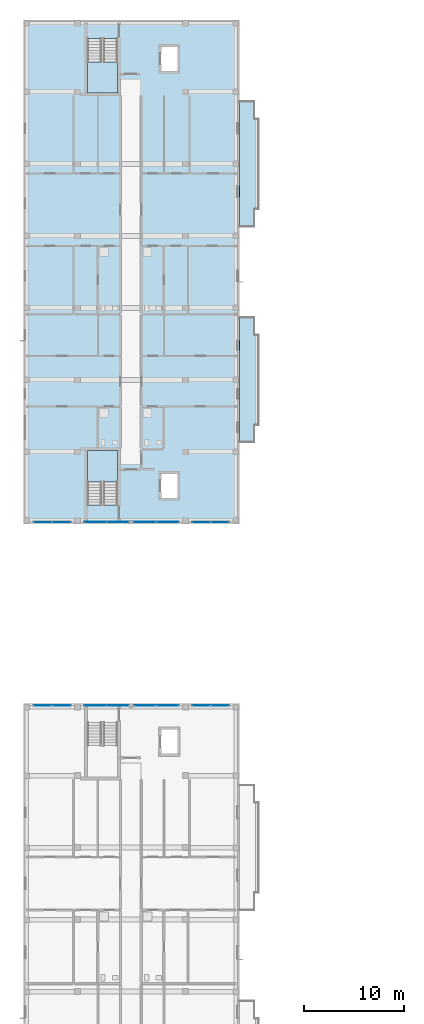
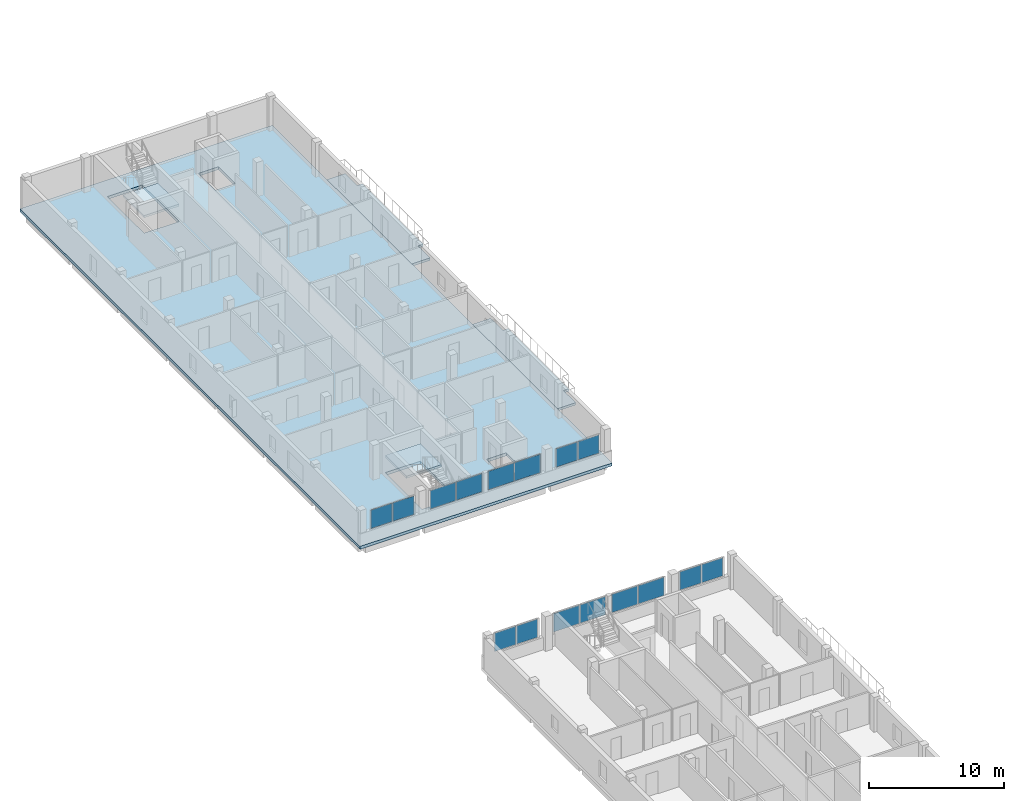
# One storey, part 10 of 41: 16 plates, 5 slabs, 10 elements without a shape of their own.
"""IFC4 building model written with IfcOpenShell, lengths in metres."""

from ifc_helpers import new_model, si_unit, derived_unit, direction, frame, origin, origin_2d, place, context, subcontext, project, spatial, polyline, rectangle, outline, extrude, material, layer, layer_set, type_object, element, aggregate, save


model = new_model("IFC4")

# Units and contexts
model_context = context("Model", 3, precision=1e-05, world=origin(), true_north=direction((0.0, 1.0)))
body_context = subcontext(model_context, "Body", "Model", "MODEL_VIEW")
ifc_project = project(units=[si_unit("LENGTHUNIT", "METRE"), si_unit("AREAUNIT", "SQUARE_METRE"), si_unit("VOLUMEUNIT", "CUBIC_METRE"), si_unit("PLANEANGLEUNIT", "RADIAN"), si_unit("MASSUNIT", "GRAM", prefix="KILO"), derived_unit("THERMALTRANSMITTANCEUNIT", [(si_unit("MASSUNIT", "GRAM", prefix="KILO"), 1), (si_unit("TIMEUNIT", "SECOND"), -3), (si_unit("THERMODYNAMICTEMPERATUREUNIT", "KELVIN"), -1)])], contexts=[model_context])

# Site, building, storey
site_placement = place(None, origin())
site = spatial("IfcSite", under=ifc_project, at=site_placement, CompositionType="ELEMENT")
building_placement = place(site_placement, origin())
building = spatial("IfcBuilding", under=site, at=building_placement, Name="Ochrekiln Boulevard Commons", CompositionType="ELEMENT")
storey_placement = place(building_placement, frame((0.0, 0.0, 21.52490234375)))
storey = spatial("IfcBuildingStorey", under=building, at=storey_placement, Name="L06", CompositionType="ELEMENT", Elevation=21.52490234375)

# Curtain wall, plates
ifc_material_1 = material(Name="Bronze-anodized extruded aluminium 6063-T6", Category="aluminium")
ifc_layer_1 = layer(ifc_material_1, 0.172119140625)
ifc_layer_set_1 = layer_set([ifc_layer_1], Name="Bronze-anodized extruded aluminium 6063-T6")
curtain_wall_type = type_object("IfcCurtainWallType", Name="CW-GABLE-A", PredefinedType="USERDEFINED", material=ifc_layer_set_1)
curtain_wall_1_placement = place(storey_placement, origin())
curtain_wall_1 = element("IfcCurtainWall", 1, at=curtain_wall_1_placement, inside=storey, type_object=curtain_wall_type, Name="Block A L06 Courtyard Glazed Gable Curtain Wall 4", ObjectType="GLAZED CURTAIN WALL", PredefinedType="USERDEFINED")
ifc_material_2 = material(Name="Spectrally selective low-E insulated glazing", Category="glass")
ifc_layer_2 = layer(ifc_material_2, 0.02392578125)
ifc_layer_set_2 = layer_set([ifc_layer_2], Name="Spectrally selective low-E insulated glazing")
plate_type_1 = type_object("IfcPlateType", Name="CWP-GLZ-1", PredefinedType="CURTAIN_PANEL", material=ifc_layer_set_2)
plate_1_placement = place(storey_placement, frame((17.788818359375, 68.56005859375, 1.175048828125), z_axis=(0.0, 0.0, 1.0), x_axis=(1.0, 0.0, 0.0)))
plate_1 = element("IfcPlate", 2, at=plate_1_placement, type_object=plate_type_1, Name="CW-01 panel 1.1", PredefinedType="CURTAIN_PANEL", context=body_context, shape_type="SweptSolid", body=[
    extrude(rectangle(XDim=1.8076171875, YDim=0.02392578125, at=origin_2d()), origin(), (0.0, 0.0, 1.0), 1.64990234375),
])
plate_2_placement = place(storey_placement, frame((19.6611328125, 68.56005859375, 1.175048828125), z_axis=(0.0, 0.0, 1.0), x_axis=(1.0, 0.0, 0.0)))
plate_2 = element("IfcPlate", 3, at=plate_2_placement, type_object=plate_type_1, Name="CW-01 panel 2.1", PredefinedType="CURTAIN_PANEL", context=body_context, shape_type="SweptSolid", body=[
    extrude(rectangle(XDim=1.8076171875, YDim=0.02392578125, at=origin_2d()), origin(), (0.0, 0.0, 1.0), 1.64990234375),
])
aggregate(curtain_wall_1, [plate_1, plate_2])

curtain_wall_2_placement = place(storey_placement, origin())
curtain_wall_2 = element("IfcCurtainWall", 4, at=curtain_wall_2_placement, inside=storey, type_object=curtain_wall_type, Name="Block D L06 Courtyard Glazed Gable Curtain Wall 4", ObjectType="GLAZED CURTAIN WALL", PredefinedType="USERDEFINED")
plate_3_placement = place(storey_placement, frame((17.788818359375, 50.217529296875, 1.175048828125), z_axis=(0.0, 0.0, 1.0), x_axis=(1.0, 0.0, 0.0)))
plate_3 = element("IfcPlate", 5, at=plate_3_placement, type_object=plate_type_1, Name="CW-01 panel 1.1", PredefinedType="CURTAIN_PANEL", context=body_context, shape_type="SweptSolid", body=[
    extrude(rectangle(XDim=1.8076171875, YDim=0.02392578125, at=origin_2d()), origin(), (0.0, 0.0, 1.0), 1.64990234375),
])
plate_4_placement = place(storey_placement, frame((19.6611328125, 50.217529296875, 1.175048828125), z_axis=(0.0, 0.0, 1.0), x_axis=(1.0, 0.0, 0.0)))
plate_4 = element("IfcPlate", 6, at=plate_4_placement, type_object=plate_type_1, Name="CW-01 panel 2.1", PredefinedType="CURTAIN_PANEL", context=body_context, shape_type="SweptSolid", body=[
    extrude(rectangle(XDim=1.8076171875, YDim=0.02392578125, at=origin_2d()), origin(), (0.0, 0.0, 1.0), 1.64990234375),
])
aggregate(curtain_wall_2, [plate_3, plate_4])

curtain_wall_3_placement = place(storey_placement, origin())
curtain_wall_3 = element("IfcCurtainWall", 7, at=curtain_wall_3_placement, inside=storey, type_object=curtain_wall_type, Name="Block A L06 Courtyard Glazed Gable Curtain Wall 1", ObjectType="GLAZED CURTAIN WALL", PredefinedType="USERDEFINED")
ifc_layer_3 = layer(ifc_material_2, 0.030029296875)
ifc_layer_set_3 = layer_set([ifc_layer_3], Name="Spectrally selective low-E insulated glazing")
plate_type_2 = type_object("IfcPlateType", Name="CWP-GLZ-2", PredefinedType="CURTAIN_PANEL", material=ifc_layer_set_3)
plate_5_placement = place(storey_placement, frame((1.9375, 68.56005859375, 1.169921875), z_axis=(0.0, 0.0, 1.0), x_axis=(1.0, 0.0, 0.0)))
plate_5 = element("IfcPlate", 8, at=plate_5_placement, type_object=plate_type_2, Name="CW-01 panel 1.1", PredefinedType="CURTAIN_PANEL", context=body_context, shape_type="SweptSolid", body=[
    extrude(rectangle(XDim=1.81494140625, YDim=0.030029296875, at=origin_2d()), origin(), (0.0, 0.0, 1.0), 1.659912109375),
])
plate_6_placement = place(storey_placement, frame((3.8125, 68.56005859375, 1.169921875), z_axis=(0.0, 0.0, 1.0), x_axis=(1.0, 0.0, 0.0)))
plate_6 = element("IfcPlate", 9, at=plate_6_placement, type_object=plate_type_2, Name="CW-01 panel 2.1", PredefinedType="CURTAIN_PANEL", context=body_context, shape_type="SweptSolid", body=[
    extrude(rectangle(XDim=1.81494140625, YDim=0.030029296875, at=origin_2d()), origin(), (0.0, 0.0, 1.0), 1.659912109375),
])
aggregate(curtain_wall_3, [plate_5, plate_6])

curtain_wall_4_placement = place(storey_placement, origin())
curtain_wall_4 = element("IfcCurtainWall", 10, at=curtain_wall_4_placement, inside=storey, type_object=curtain_wall_type, Name="Block D L06 Courtyard Glazed Gable Curtain Wall 1", ObjectType="GLAZED CURTAIN WALL", PredefinedType="USERDEFINED")
plate_7_placement = place(storey_placement, frame((1.938720703125, 50.217529296875, 1.175048828125), z_axis=(0.0, 0.0, 1.0), x_axis=(1.0, 0.0, 0.0)))
plate_7 = element("IfcPlate", 11, at=plate_7_placement, type_object=plate_type_2, Name="CW-01 panel 1.1", PredefinedType="CURTAIN_PANEL", context=body_context, shape_type="SweptSolid", body=[
    extrude(rectangle(XDim=1.8076171875, YDim=0.030029296875, at=origin_2d()), origin(), (0.0, 0.0, 1.0), 1.64990234375),
])
plate_8_placement = place(storey_placement, frame((3.811279296875, 50.217529296875, 1.175048828125), z_axis=(0.0, 0.0, 1.0), x_axis=(1.0, 0.0, 0.0)))
plate_8 = element("IfcPlate", 12, at=plate_8_placement, type_object=plate_type_2, Name="CW-01 panel 2.1", PredefinedType="CURTAIN_PANEL", context=body_context, shape_type="SweptSolid", body=[
    extrude(rectangle(XDim=1.8076171875, YDim=0.030029296875, at=origin_2d()), origin(), (0.0, 0.0, 1.0), 1.64990234375),
])
aggregate(curtain_wall_4, [plate_7, plate_8])

curtain_wall_5_placement = place(storey_placement, origin())
curtain_wall_5 = element("IfcCurtainWall", 13, at=curtain_wall_5_placement, inside=storey, type_object=curtain_wall_type, Name="Block A L06 Courtyard Glazed Gable Curtain Wall 2", ObjectType="GLAZED CURTAIN WALL", PredefinedType="USERDEFINED")
ifc_layer_4 = layer(ifc_material_2, 0.035888671875)
ifc_layer_set_4 = layer_set([ifc_layer_4], Name="Spectrally selective low-E insulated glazing")
plate_type_3 = type_object("IfcPlateType", Name="CWP-GLZ-3", PredefinedType="CURTAIN_PANEL", material=ifc_layer_set_4)
plate_9_placement = place(storey_placement, frame((7.18115234375, 68.56005859375, 1.175048828125), z_axis=(0.0, 0.0, 1.0), x_axis=(1.0, 0.0, 0.0)))
plate_9 = element("IfcPlate", 14, at=plate_9_placement, type_object=plate_type_3, Name="CW-01 panel 1.1", PredefinedType="CURTAIN_PANEL", context=body_context, shape_type="SweptSolid", body=[
    extrude(rectangle(XDim=2.1923828125, YDim=0.035888671875, at=origin_2d()), origin(), (0.0, 0.0, 1.0), 1.64990234375),
])
plate_10_placement = place(storey_placement, frame((9.438720703125, 68.56005859375, 1.175048828125), z_axis=(0.0, 0.0, 1.0), x_axis=(1.0, 0.0, 0.0)))
plate_10 = element("IfcPlate", 15, at=plate_10_placement, type_object=plate_type_3, Name="CW-01 panel 2.1", PredefinedType="CURTAIN_PANEL", context=body_context, shape_type="SweptSolid", body=[
    extrude(rectangle(XDim=2.1923828125, YDim=0.035888671875, at=origin_2d()), origin(), (0.0, 0.0, 1.0), 1.64990234375),
])
aggregate(curtain_wall_5, [plate_9, plate_10])

curtain_wall_6_placement = place(storey_placement, origin())
curtain_wall_6 = element("IfcCurtainWall", 16, at=curtain_wall_6_placement, inside=storey, type_object=curtain_wall_type, Name="Block D L06 Courtyard Glazed Gable Curtain Wall 2", ObjectType="GLAZED CURTAIN WALL", PredefinedType="USERDEFINED")
plate_11_placement = place(storey_placement, frame((7.18115234375, 50.217529296875, 1.175048828125), z_axis=(0.0, 0.0, 1.0), x_axis=(1.0, 0.0, 0.0)))
plate_11 = element("IfcPlate", 17, at=plate_11_placement, type_object=plate_type_3, Name="CW-01 panel 1.1", PredefinedType="CURTAIN_PANEL", context=body_context, shape_type="SweptSolid", body=[
    extrude(rectangle(XDim=2.1923828125, YDim=0.035888671875, at=origin_2d()), origin(), (0.0, 0.0, 1.0), 1.64990234375),
])
plate_12_placement = place(storey_placement, frame((9.438720703125, 50.217529296875, 1.175048828125), z_axis=(0.0, 0.0, 1.0), x_axis=(1.0, 0.0, 0.0)))
plate_12 = element("IfcPlate", 18, at=plate_12_placement, type_object=plate_type_3, Name="CW-01 panel 2.1", PredefinedType="CURTAIN_PANEL", context=body_context, shape_type="SweptSolid", body=[
    extrude(rectangle(XDim=2.1923828125, YDim=0.035888671875, at=origin_2d()), origin(), (0.0, 0.0, 1.0), 1.64990234375),
])
aggregate(curtain_wall_6, [plate_11, plate_12])

curtain_wall_7_placement = place(storey_placement, origin())
curtain_wall_7 = element("IfcCurtainWall", 19, at=curtain_wall_7_placement, inside=storey, type_object=curtain_wall_type, Name="Block A L06 Courtyard Glazed Gable Curtain Wall 3", ObjectType="GLAZED CURTAIN WALL", PredefinedType="USERDEFINED")
ifc_layer_5 = layer(ifc_material_2, 0.0419921875)
ifc_layer_set_5 = layer_set([ifc_layer_5], Name="Spectrally selective low-E insulated glazing")
plate_type_4 = type_object("IfcPlateType", Name="CWP-GLZ-4", PredefinedType="CURTAIN_PANEL", material=ifc_layer_set_5)
plate_13_placement = place(storey_placement, frame((12.159912109375, 68.56005859375, 1.169921875), z_axis=(0.0, 0.0, 1.0), x_axis=(1.0, 0.0, 0.0)))
plate_13 = element("IfcPlate", 20, at=plate_13_placement, type_object=plate_type_4, Name="CW-01 panel 1.1", PredefinedType="CURTAIN_PANEL", context=body_context, shape_type="SweptSolid", body=[
    extrude(rectangle(XDim=2.199951171875, YDim=0.0419921875, at=origin_2d()), origin(), (0.0, 0.0, 1.0), 1.659912109375),
])
plate_14_placement = place(storey_placement, frame((14.419921875, 68.56005859375, 1.169921875), z_axis=(0.0, 0.0, 1.0), x_axis=(1.0, 0.0, 0.0)))
plate_14 = element("IfcPlate", 21, at=plate_14_placement, type_object=plate_type_4, Name="CW-01 panel 2.1", PredefinedType="CURTAIN_PANEL", context=body_context, shape_type="SweptSolid", body=[
    extrude(rectangle(XDim=2.199951171875, YDim=0.0419921875, at=origin_2d()), origin(), (0.0, 0.0, 1.0), 1.659912109375),
])
aggregate(curtain_wall_7, [plate_13, plate_14])

curtain_wall_8_placement = place(storey_placement, origin())
curtain_wall_8 = element("IfcCurtainWall", 22, at=curtain_wall_8_placement, inside=storey, type_object=curtain_wall_type, Name="Block D L06 Courtyard Glazed Gable Curtain Wall 3", ObjectType="GLAZED CURTAIN WALL", PredefinedType="USERDEFINED")
plate_15_placement = place(storey_placement, frame((12.1611328125, 50.217529296875, 1.175048828125), z_axis=(0.0, 0.0, 1.0), x_axis=(1.0, 0.0, 0.0)))
plate_15 = element("IfcPlate", 23, at=plate_15_placement, type_object=plate_type_4, Name="CW-01 panel 1.1", PredefinedType="CURTAIN_PANEL", context=body_context, shape_type="SweptSolid", body=[
    extrude(rectangle(XDim=2.1923828125, YDim=0.0419921875, at=origin_2d()), origin(), (0.0, 0.0, 1.0), 1.64990234375),
])
plate_16_placement = place(storey_placement, frame((14.418701171875, 50.217529296875, 1.175048828125), z_axis=(0.0, 0.0, 1.0), x_axis=(1.0, 0.0, 0.0)))
plate_16 = element("IfcPlate", 24, at=plate_16_placement, type_object=plate_type_4, Name="CW-01 panel 2.1", PredefinedType="CURTAIN_PANEL", context=body_context, shape_type="SweptSolid", body=[
    extrude(rectangle(XDim=2.1923828125, YDim=0.0419921875, at=origin_2d()), origin(), (0.0, 0.0, 1.0), 1.64990234375),
])
aggregate(curtain_wall_8, [plate_15, plate_16])

# Slabs
ifc_material_3 = material(Name="Concrete C35/45", Category="concrete")
ifc_layer_6 = layer(ifc_material_3, 0.219970703125)
ifc_layer_set_6 = layer_set([ifc_layer_6], Name="Concrete C35/45")
slab_type_1 = type_object("IfcSlabType", Name="SLB-BAL-220", PredefinedType="FLOOR", material=ifc_layer_set_6)
slab_1_placement = place(storey_placement, frame((0.0, 0.0, -0.219970703125)))
element("IfcSlab", 25, at=slab_1_placement, inside=storey, type_object=slab_type_1, Name="Block A L06 Planter-Box Balcony Slab 1", PredefinedType="FLOOR", context=body_context, shape_type="SweptSolid", body=[
    extrude(outline(polyline([(21.60009765625, 76.5), (23.14990234375, 76.5), (23.14990234375, 78.300048828125), (23.60009765625, 78.300048828125), (23.60009765625, 87.300048828125), (23.14990234375, 87.300048828125), (23.14990234375, 89.10009765625), (21.60009765625, 89.10009765625), (21.60009765625, 76.5)])), origin(), (0.0, 0.0, 1.0), 0.219970703125),
])
slab_2_placement = place(storey_placement, frame((0.0, 0.0, -0.219970703125)))
element("IfcSlab", 26, at=slab_2_placement, inside=storey, type_object=slab_type_1, Name="Block A L06 Planter-Box Balcony Slab 2", PredefinedType="FLOOR", context=body_context, shape_type="SweptSolid", body=[
    extrude(outline(polyline([(21.60009765625, 98.10009765625), (23.14990234375, 98.10009765625), (23.14990234375, 99.89990234375), (23.60009765625, 99.89990234375), (23.60009765625, 108.89990234375), (23.14990234375, 108.89990234375), (23.14990234375, 110.699951171875), (21.60009765625, 110.699951171875), (21.60009765625, 98.10009765625)])), origin(), (0.0, 0.0, 1.0), 0.219970703125),
])

# Stair, slab
stair_type = type_object("IfcStairType", Name="STR-DL-315", PredefinedType="TWO_STRAIGHT_RUN_STAIR", material=ifc_material_3)
stair_1_placement = place(storey_placement, origin())
stair_1 = element("IfcStair", 27, at=stair_1_placement, inside=storey, type_object=stair_type, Name="L06 Enclosed Exit Stair ST-A1", PredefinedType="TWO_STRAIGHT_RUN_STAIR")
ifc_layer_7 = layer(ifc_material_3, 0.199951171875)
ifc_layer_set_7 = layer_set([ifc_layer_7], Name="Concrete C35/45")
slab_type_2 = type_object("IfcSlabType", Name="SLB-LND-200", PredefinedType="LANDING", material=ifc_layer_set_7)
slab_3_placement = place(storey_placement, frame((0.0, 0.0, 1.375)))
slab_3 = element("IfcSlab", 28, at=slab_3_placement, type_object=slab_type_2, Name="ST-A1 landing 1", PredefinedType="LANDING", context=body_context, shape_type="SweptSolid", body=[
    extrude(outline(polyline([(9.39990234375, 72.590087890625), (9.39990234375, 75.719970703125), (6.39990234375, 75.719970703125), (6.39990234375, 72.590087890625), (9.39990234375, 72.590087890625)])), origin(), (0.0, 0.0, 1.0), 0.2001953125),
])
aggregate(stair_1, [slab_3])

stair_2_placement = place(storey_placement, origin())
stair_2 = element("IfcStair", 29, at=stair_2_placement, inside=storey, type_object=stair_type, Name="L06 Enclosed Exit Stair ST-A2", PredefinedType="TWO_STRAIGHT_RUN_STAIR")
slab_4_placement = place(storey_placement, frame((0.0, 0.0, 1.375)))
slab_4 = element("IfcSlab", 30, at=slab_4_placement, type_object=slab_type_2, Name="ST-A2 landing 1", PredefinedType="LANDING", context=body_context, shape_type="SweptSolid", body=[
    extrude(outline(polyline([(6.39990234375, 114.610107421875), (6.39990234375, 111.47998046875), (9.39990234375, 111.47998046875), (9.39990234375, 114.610107421875), (6.39990234375, 114.610107421875)])), origin(), (0.0, 0.0, 1.0), 0.2001953125),
])
aggregate(stair_2, [slab_4])

# Slab
ifc_layer_8 = layer(ifc_material_3, 0.260009765625)
ifc_layer_set_8 = layer_set([ifc_layer_8], Name="Concrete C35/45")
slab_type_3 = type_object("IfcSlabType", Name="SLB-RES-260", PredefinedType="FLOOR", material=ifc_layer_set_8)
slab_5_placement = place(storey_placement, frame((0.0, 0.0, -0.260009765625)))
element("IfcSlab", 31, at=slab_5_placement, inside=storey, type_object=slab_type_3, Name="Block A L06 Reinforced Concrete Floor Slab", PredefinedType="FLOOR", context=body_context, shape_type="SweptSolid", body=[
    extrude(outline(polyline([(0.0, 68.39990234375), (21.60009765625, 68.39990234375), (21.60009765625, 118.800048828125), (0.0, 118.800048828125), (0.0, 68.39990234375)]), holes=[polyline([(9.39990234375, 70.2705078125), (9.39990234375, 75.719970703125), (6.39990234375, 75.719970703125), (6.39990234375, 70.2705078125), (9.39990234375, 70.2705078125)]), polyline([(6.39990234375, 116.929443359375), (6.39990234375, 111.47998046875), (9.39990234375, 111.47998046875), (9.39990234375, 116.929443359375), (6.39990234375, 116.929443359375)]), polyline([(13.75, 70.949951171875), (15.449951171875, 70.949951171875), (15.449951171875, 73.449951171875), (13.75, 73.449951171875), (13.75, 70.949951171875)]), polyline([(13.75, 113.64990234375), (15.449951171875, 113.64990234375), (15.449951171875, 116.14990234375), (13.75, 116.14990234375), (13.75, 113.64990234375)])]), origin(), (0.0, 0.0, 1.0), 0.260009765625),
])

save(model, "model.ifc")
